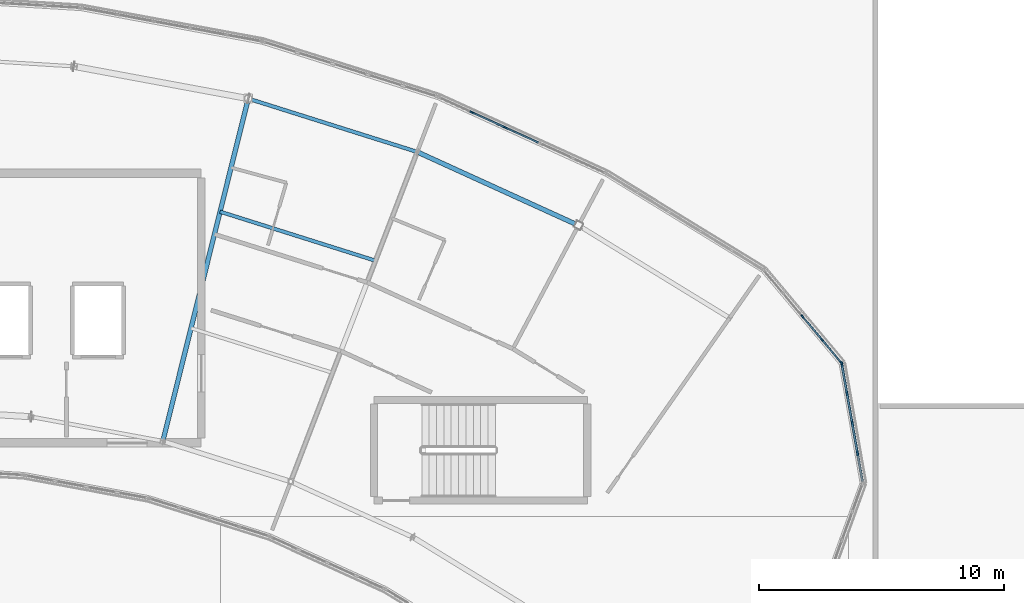
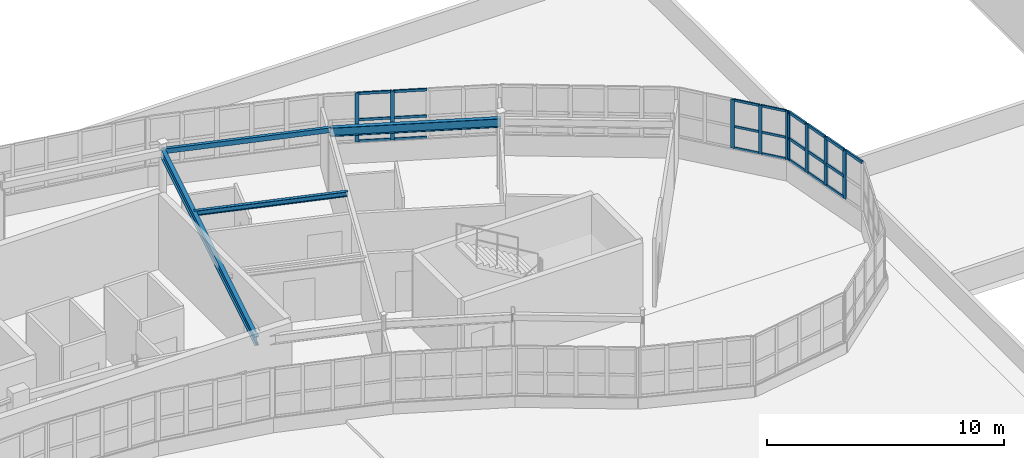
# One storey, part 50 of 128: 31 members, 4 beams, 3 elements without a shape of their own.
"""IFC4 building model written with IfcOpenShell, lengths in metres."""

from ifc_helpers import new_model, si_unit, direction, frame, origin, origin_2d, place, context, subcontext, project, spatial, rectangle, hollow_rectangle, i_section, extrude, material, layer, layer_set, material_profile, profile_set, type_object, element, aggregate, save


model = new_model("IFC4")

# Units and contexts
model_context = context("Model", 3, precision=1e-05, world=origin(), true_north=direction((0.0, 1.0)))
body_context = subcontext(model_context, "Body", "Model", "MODEL_VIEW")
ifc_project = project(units=[si_unit("LENGTHUNIT", "METRE"), si_unit("AREAUNIT", "SQUARE_METRE"), si_unit("VOLUMEUNIT", "CUBIC_METRE"), si_unit("PLANEANGLEUNIT", "RADIAN"), si_unit("MASSUNIT", "GRAM", prefix="KILO")], contexts=[model_context])

# Site, building, storey
site_placement = place(None, origin())
site = spatial("IfcSite", under=ifc_project, at=site_placement, CompositionType="ELEMENT")
building_placement = place(site_placement, origin())
building = spatial("IfcBuilding", under=site, at=building_placement, Name="Tarnwether General Hospital", CompositionType="ELEMENT")
storey_placement = place(building_placement, frame((0.0, 0.0, 14.39990234375)))
storey = spatial("IfcBuildingStorey", under=building, at=storey_placement, Name="L03", CompositionType="ELEMENT", Elevation=14.39990234375)

# Beams
ifc_material_1 = material(Name="Steel Grade 350 (350 MPa)", Category="steel")
ifc_material_profile_1 = material_profile(ifc_material_1, i_section(OverallWidth=0.19091796875, OverallDepth=0.4599609375, WebThickness=0.010009765625, FlangeThickness=0.01611328125, at=origin_2d()), Name="460UB82.1")
ifc_profile_set_1 = profile_set([ifc_material_profile_1], Name="Steel Grade 350 (350 MPa)")
beam_type_1 = type_object("IfcBeamType", Name="BM-G08", PredefinedType="BEAM", material=ifc_profile_set_1)
beam_1_placement = place(storey_placement, frame((106.322021484375, 120.44189453125, 3.330078125), z_axis=(-0.241941215118, -0.970290909175, 0.0), x_axis=(0.970290909175, -0.241941215118, 0.0)))
element("IfcBeam", 1, at=beam_1_placement, inside=storey, type_object=beam_type_1, Name="Curved Ward NW Radial Girder BMG-L03-10632_12044-10284_10647-1921", PredefinedType="BEAM", context=body_context, shape_type="SweptSolid", body=[
    extrude(i_section(OverallWidth=0.19091796875, OverallDepth=0.4599609375, WebThickness=0.010009765625, FlangeThickness=0.01611328125, at=origin_2d()), origin(), (0.0, 0.0, 1.0), 14.400634765625),
])
ifc_material_2 = material(Name="Steel Grade 350 (350 MPa)", Category="steel")
ifc_material_profile_2 = material_profile(ifc_material_2, i_section(OverallWidth=0.14599609375, OverallDepth=0.256103515625, WebThickness=0.00634765625, FlangeThickness=0.010986328125, at=origin_2d()), Name="250UB37.3")
ifc_profile_set_2 = profile_set([ifc_material_profile_2], Name="Steel Grade 350 (350 MPa)")
beam_type_2 = type_object("IfcBeamType", Name="BM-J09", PredefinedType="JOIST", material=ifc_profile_set_2)
beam_2_placement = place(storey_placement, frame((105.172119140625, 115.8310546875, 3.43212890625), z_axis=(0.953671429399, -0.300850136693, 0.0), x_axis=(0.300850136693, 0.953671429399, 0.0)))
element("IfcBeam", 2, at=beam_2_placement, inside=storey, type_object=beam_type_2, Name="Curved Ward NW Chord Joist BMG-L03-10517_11583-11151_11383-1943", PredefinedType="JOIST", context=body_context, shape_type="SweptSolid", body=[
    extrude(i_section(OverallWidth=0.14599609375, OverallDepth=0.256103515625, WebThickness=0.00634765625, FlangeThickness=0.010986328125, at=origin_2d()), origin(), (0.0, 0.0, 1.0), 6.64794921875),
])
ifc_material_3 = material(Name="Steel Grade 350 (350 MPa)", Category="steel")
ifc_material_profile_3 = material_profile(ifc_material_3, i_section(OverallWidth=0.18994140625, OverallDepth=0.4541015625, WebThickness=0.008544921875, FlangeThickness=0.0126953125, at=origin_2d()), Name="460UB67.1")
ifc_profile_set_3 = profile_set([ifc_material_profile_3], Name="Steel Grade 350 (350 MPa)")
beam_type_3 = type_object("IfcBeamType", Name="BM-SP1", PredefinedType="SPANDREL", material=ifc_profile_set_3)
beam_3_placement = place(storey_placement, frame((113.215087890625, 118.26806640625, 3.3330078125), z_axis=(0.909943842177, -0.414731484316, 0.0), x_axis=(0.414731484316, 0.909943842177, 0.0)))
element("IfcBeam", 3, at=beam_3_placement, inside=storey, type_object=beam_type_3, Name="Curved Ward NW Outer Spandrel BMG-L03-11322_11827-11979_11527-1945", PredefinedType="SPANDREL", context=body_context, shape_type="SweptSolid", body=[
    extrude(i_section(OverallWidth=0.18994140625, OverallDepth=0.4541015625, WebThickness=0.008544921875, FlangeThickness=0.0126953125, at=origin_2d()), origin(), (0.0, 0.0, 1.0), 7.22900390625),
])
ifc_material_4 = material(Name="Steel Grade C350L0 (350 MPa)", Category="steel")
ifc_material_profile_4 = material_profile(ifc_material_4, hollow_rectangle(XDim=0.14990234375, YDim=0.25, WallThickness=0.008056640625, at=origin_2d()), Name="RHS250x150x8")
ifc_profile_set_4 = profile_set([ifc_material_profile_4], Name="Steel Grade C350L0 (350 MPa)")
beam_type_4 = type_object("IfcBeamType", Name="BM-SP8", PredefinedType="SPANDREL", material=ifc_profile_set_4)
beam_4_placement = place(storey_placement, frame((106.322021484375, 120.44189453125, 3.43505859375), z_axis=(0.953698988948, -0.300762761125, 0.0), x_axis=(0.300762761125, 0.953698988948, 0.0)))
element("IfcBeam", 4, at=beam_4_placement, inside=storey, type_object=beam_type_4, Name="Curved Ward NW Outer Spandrel BMG-L03-10632_12044-11322_11827-1941", PredefinedType="SPANDREL", context=body_context, shape_type="SweptSolid", body=[
    extrude(hollow_rectangle(XDim=0.14990234375, YDim=0.25, WallThickness=0.008056640625, at=origin_2d()), origin(), (0.0, 0.0, 1.0), 7.227783203125),
])

# Curtain wall, members
ifc_material_5 = material(Name="Anodised aluminium", Category="aluminium")
ifc_layer_1 = layer(ifc_material_5, 0.159912109375)
ifc_layer_set_1 = layer_set([ifc_layer_1], Name="Anodised aluminium")
curtain_wall_type_1 = type_object("IfcCurtainWallType", Name="CW-03", PredefinedType="NOTDEFINED", material=ifc_layer_set_1)
curtain_wall_1_placement = place(storey_placement, origin())
curtain_wall_1 = element("IfcCurtainWall", 5, at=curtain_wall_1_placement, inside=storey, type_object=curtain_wall_type_1, Name="Curtain Wall CWG-L03-1273_1135-0021", PredefinedType="NOTDEFINED")
ifc_material_6 = material(Name="Anodised aluminium", Category="aluminium")
ifc_material_profile_5 = material_profile(ifc_material_6, rectangle(XDim=0.06005859375, YDim=0.159912109375, at=origin_2d()), Name="ALU-MUL-60x160")
ifc_profile_set_5 = profile_set([ifc_material_profile_5], Name="Anodised aluminium")
member_type_1 = type_object("IfcMemberType", Name="CW-ML1", PredefinedType="MULLION", material=ifc_profile_set_5)
member_1_placement = place(storey_placement, frame((128.929443359375, 111.556396484375, 1.050048828125), z_axis=(0.0, 0.0, 1.0), x_axis=(0.765990176896, 0.64285227611, 0.0)))
member_1 = element("IfcMember", 6, at=member_1_placement, type_object=member_type_1, Name="CW-03 mullion 3", PredefinedType="MULLION", context=body_context, shape_type="SweptSolid", body=[
    extrude(rectangle(XDim=0.06005859375, YDim=0.159912109375, at=origin_2d()), origin(), (0.0, 0.0, 1.0), 2.510009765625),
])
member_2_placement = place(storey_placement, frame((129.728271484375, 110.604736328125, 1.050048828125), z_axis=(0.0, 0.0, 1.0), x_axis=(0.765990176896, 0.64285227611, 0.0)))
member_2 = element("IfcMember", 7, at=member_2_placement, type_object=member_type_1, Name="CW-03 mullion 4", PredefinedType="MULLION", context=body_context, shape_type="SweptSolid", body=[
    extrude(rectangle(XDim=0.06005859375, YDim=0.159912109375, at=origin_2d()), origin(), (0.0, 0.0, 1.0), 2.510009765625),
])
member_3_placement = place(storey_placement, frame((130.5078125, 109.676025390625, 1.050048828125), z_axis=(0.0, 0.0, 1.0), x_axis=(0.765990176896, 0.64285227611, 0.0)))
member_3 = element("IfcMember", 8, at=member_3_placement, type_object=member_type_1, Name="CW-03 mullion 5", PredefinedType="MULLION", context=body_context, shape_type="SweptSolid", body=[
    extrude(rectangle(XDim=0.06005859375, YDim=0.159912109375, at=origin_2d()), origin(), (0.0, 0.0, 1.0), 2.510009765625),
])

ifc_material_7 = material(Name="Anodised aluminium", Category="aluminium")
ifc_layer_2 = layer(ifc_material_7, 0.159912109375)
ifc_layer_set_2 = layer_set([ifc_layer_2], Name="Anodised aluminium")
curtain_wall_type_2 = type_object("IfcCurtainWallType", Name="CW-01", PredefinedType="NOTDEFINED", material=ifc_layer_set_2)
curtain_wall_2_placement = place(storey_placement, origin())
curtain_wall_2 = element("IfcCurtainWall", 9, at=curtain_wall_2_placement, inside=storey, type_object=curtain_wall_type_2, Name="Curtain Wall CWG-L03-1141_1205-0023", PredefinedType="NOTDEFINED")
ifc_material_8 = material(Name="Anodised aluminium", Category="aluminium")
ifc_material_profile_6 = material_profile(ifc_material_8, rectangle(XDim=0.06494140625, YDim=0.169921875, at=origin_2d()), Name="ALU-MUL-65x170")
ifc_profile_set_6 = profile_set([ifc_material_profile_6], Name="Anodised aluminium")
member_type_2 = type_object("IfcMemberType", Name="CW-ML3", PredefinedType="MULLION", material=ifc_profile_set_6)
member_4_placement = place(storey_placement, frame((115.44384765625, 119.88525390625, 1.050048828125), z_axis=(0.0, 0.0, 1.0), x_axis=(0.414694289316, 0.909960793886, 0.0)))
member_4 = element("IfcMember", 10, at=member_4_placement, type_object=member_type_2, Name="CW-01 mullion 2", PredefinedType="MULLION", context=body_context, shape_type="SweptSolid", body=[
    extrude(rectangle(XDim=0.06494140625, YDim=0.169921875, at=origin_2d()), origin(), (0.0, 0.0, 1.0), 2.510009765625),
])
member_5_placement = place(storey_placement, frame((116.8125, 119.261474609375, 1.050048828125), z_axis=(0.0, 0.0, 1.0), x_axis=(0.414694289316, 0.909960793886, 0.0)))
member_5 = element("IfcMember", 11, at=member_5_placement, type_object=member_type_2, Name="CW-01 mullion 3", PredefinedType="MULLION", context=body_context, shape_type="SweptSolid", body=[
    extrude(rectangle(XDim=0.06494140625, YDim=0.169921875, at=origin_2d()), origin(), (0.0, 0.0, 1.0), 2.510009765625),
])

curtain_wall_3_placement = place(storey_placement, origin())
curtain_wall_3 = element("IfcCurtainWall", 12, at=curtain_wall_3_placement, inside=storey, type_object=curtain_wall_type_1, Name="Curtain Wall CWG-L03-1305_1097-0020", PredefinedType="NOTDEFINED")
ifc_material_9 = material(Name="Anodised aluminium", Category="aluminium")
ifc_material_profile_7 = material_profile(ifc_material_9, rectangle(XDim=0.080078125, YDim=0.199951171875, at=origin_2d()), Name="ALU-MUL-80x200")
ifc_profile_set_7 = profile_set([ifc_material_profile_7], Name="Anodised aluminium")
member_type_3 = type_object("IfcMemberType", Name="CW-ML4", PredefinedType="MULLION", material=ifc_profile_set_7)
member_6_placement = place(storey_placement, frame((130.533935546875, 109.613525390625, 1.050048828125), z_axis=(0.0, 0.0, 1.0), x_axis=(0.984840230098, 0.173463890135, 0.0)))
member_6 = element("IfcMember", 13, at=member_6_placement, type_object=member_type_3, Name="CW-03 mullion 1", PredefinedType="MULLION", context=body_context, shape_type="SweptSolid", body=[
    extrude(rectangle(XDim=0.080078125, YDim=0.199951171875, at=origin_2d()), origin(), (0.0, 0.0, 1.0), 2.510009765625),
])
member_7_placement = place(storey_placement, frame((130.742431640625, 108.429443359375, 1.050048828125), z_axis=(0.0, 0.0, 1.0), x_axis=(0.984840230098, 0.173463890135, 0.0)))
member_7 = element("IfcMember", 14, at=member_7_placement, type_object=member_type_3, Name="CW-03 mullion 2", PredefinedType="MULLION", context=body_context, shape_type="SweptSolid", body=[
    extrude(rectangle(XDim=0.080078125, YDim=0.199951171875, at=origin_2d()), origin(), (0.0, 0.0, 1.0), 2.510009765625),
])
member_8_placement = place(storey_placement, frame((130.9580078125, 107.2060546875, 1.050048828125), z_axis=(0.0, 0.0, 1.0), x_axis=(0.984840230098, 0.173463890135, 0.0)))
member_8 = element("IfcMember", 15, at=member_8_placement, type_object=member_type_3, Name="CW-03 mullion 3", PredefinedType="MULLION", context=body_context, shape_type="SweptSolid", body=[
    extrude(rectangle(XDim=0.080078125, YDim=0.199951171875, at=origin_2d()), origin(), (0.0, 0.0, 1.0), 2.510009765625),
])
member_9_placement = place(storey_placement, frame((131.173583984375, 105.982421875, 1.050048828125), z_axis=(0.0, 0.0, 1.0), x_axis=(0.984840230098, 0.173463890135, 0.0)))
member_9 = element("IfcMember", 16, at=member_9_placement, type_object=member_type_3, Name="CW-03 mullion 4", PredefinedType="MULLION", context=body_context, shape_type="SweptSolid", body=[
    extrude(rectangle(XDim=0.080078125, YDim=0.199951171875, at=origin_2d()), origin(), (0.0, 0.0, 1.0), 2.510009765625),
])

# Member
ifc_material_10 = material(Name="Anodised aluminium", Category="aluminium")
ifc_material_profile_8 = material_profile(ifc_material_10, rectangle(XDim=0.06005859375, YDim=0.1201171875, at=origin_2d()), Name="ALU-TRN-60x120")
ifc_profile_set_8 = profile_set([ifc_material_profile_8], Name="Anodised aluminium")
member_type_4 = type_object("IfcMemberType", Name="CW-TR1", PredefinedType="USERDEFINED", material=ifc_profile_set_8)
member_10_placement = place(storey_placement, frame((128.94873046875, 111.533447265625, 1.080078125), z_axis=(0.642901530921, -0.765948837417, 0.0), x_axis=(0.765948837417, 0.642901530921, 0.0)))
member_10 = element("IfcMember", 17, at=member_10_placement, type_object=member_type_4, Name="CW-03 transom 3.1", ObjectType="TRANSOM", PredefinedType="USERDEFINED", context=body_context, shape_type="SweptSolid", body=[
    extrude(rectangle(XDim=0.06005859375, YDim=0.1201171875, at=origin_2d()), origin(), (0.0, 0.0, 1.0), 1.1826171875),
])

member_11_placement = place(storey_placement, frame((128.94873046875, 111.533447265625, 2.1796875), z_axis=(0.642901530921, -0.765948837417, 0.0), x_axis=(0.765948837417, 0.642901530921, 0.0)))
member_11 = element("IfcMember", 18, at=member_11_placement, type_object=member_type_4, Name="CW-03 transom 3.2", ObjectType="TRANSOM", PredefinedType="USERDEFINED", context=body_context, shape_type="SweptSolid", body=[
    extrude(rectangle(XDim=0.06005859375, YDim=0.1201171875, at=origin_2d()), origin(), (0.0, 0.0, 1.0), 1.1826171875),
])

member_12_placement = place(storey_placement, frame((128.94873046875, 111.533447265625, 3.530029296875), z_axis=(0.642901530921, -0.765948837417, 0.0), x_axis=(0.765948837417, 0.642901530921, 0.0)))
member_12 = element("IfcMember", 19, at=member_12_placement, type_object=member_type_4, Name="CW-03 transom 3.3", ObjectType="TRANSOM", PredefinedType="USERDEFINED", context=body_context, shape_type="SweptSolid", body=[
    extrude(rectangle(XDim=0.06005859375, YDim=0.1201171875, at=origin_2d()), origin(), (0.0, 0.0, 1.0), 1.1826171875),
])

member_13_placement = place(storey_placement, frame((129.74755859375, 110.581787109375, 1.080078125), z_axis=(0.642889003043, -0.765959352555, 0.0), x_axis=(0.765959352555, 0.642889003043, 0.0)))
member_13 = element("IfcMember", 20, at=member_13_placement, type_object=member_type_4, Name="CW-03 transom 4.1", ObjectType="TRANSOM", PredefinedType="USERDEFINED", context=body_context, shape_type="SweptSolid", body=[
    extrude(rectangle(XDim=0.06005859375, YDim=0.1201171875, at=origin_2d()), origin(), (0.0, 0.0, 1.0), 1.152587890625),
])

member_14_placement = place(storey_placement, frame((129.74755859375, 110.581787109375, 2.1796875), z_axis=(0.642889003043, -0.765959352555, 0.0), x_axis=(0.765959352555, 0.642889003043, 0.0)))
member_14 = element("IfcMember", 21, at=member_14_placement, type_object=member_type_4, Name="CW-03 transom 4.2", ObjectType="TRANSOM", PredefinedType="USERDEFINED", context=body_context, shape_type="SweptSolid", body=[
    extrude(rectangle(XDim=0.06005859375, YDim=0.1201171875, at=origin_2d()), origin(), (0.0, 0.0, 1.0), 1.152587890625),
])

member_15_placement = place(storey_placement, frame((129.74755859375, 110.581787109375, 3.530029296875), z_axis=(0.642889003043, -0.765959352555, 0.0), x_axis=(0.765959352555, 0.642889003043, 0.0)))
member_15 = element("IfcMember", 22, at=member_15_placement, type_object=member_type_4, Name="CW-03 transom 4.3", ObjectType="TRANSOM", PredefinedType="USERDEFINED", context=body_context, shape_type="SweptSolid", body=[
    extrude(rectangle(XDim=0.06005859375, YDim=0.1201171875, at=origin_2d()), origin(), (0.0, 0.0, 1.0), 1.152587890625),
])

aggregate(curtain_wall_1, [member_1, member_2, member_3, member_10, member_11, member_12, member_13, member_14, member_15])

ifc_material_11 = material(Name="Anodised aluminium", Category="aluminium")
ifc_material_profile_9 = material_profile(ifc_material_11, rectangle(XDim=0.06494140625, YDim=0.1298828125, at=origin_2d()), Name="ALU-TRN-65x130")
ifc_profile_set_9 = profile_set([ifc_material_profile_9], Name="Anodised aluminium")
member_type_5 = type_object("IfcMemberType", Name="CW-TR3", PredefinedType="USERDEFINED", material=ifc_profile_set_9)
member_16_placement = place(storey_placement, frame((115.473388671875, 119.871826171875, 1.08251953125), z_axis=(0.909930262582, -0.414761277408, 0.0), x_axis=(0.414761277408, 0.909930262582, 0.0)))
member_16 = element("IfcMember", 23, at=member_16_placement, type_object=member_type_5, Name="CW-01 transom 2.1", ObjectType="TRANSOM", PredefinedType="USERDEFINED", context=body_context, shape_type="SweptSolid", body=[
    extrude(rectangle(XDim=0.06494140625, YDim=0.1298828125, at=origin_2d()), origin(), (0.0, 0.0, 1.0), 1.439208984375),
])

member_17_placement = place(storey_placement, frame((115.473388671875, 119.871826171875, 2.1796875), z_axis=(0.909930262582, -0.414761277408, 0.0), x_axis=(0.414761277408, 0.909930262582, 0.0)))
member_17 = element("IfcMember", 24, at=member_17_placement, type_object=member_type_5, Name="CW-01 transom 2.2", ObjectType="TRANSOM", PredefinedType="USERDEFINED", context=body_context, shape_type="SweptSolid", body=[
    extrude(rectangle(XDim=0.06494140625, YDim=0.1298828125, at=origin_2d()), origin(), (0.0, 0.0, 1.0), 1.439208984375),
])

member_18_placement = place(storey_placement, frame((115.473388671875, 119.871826171875, 3.527587890625), z_axis=(0.909930262582, -0.414761277408, 0.0), x_axis=(0.414761277408, 0.909930262582, 0.0)))
member_18 = element("IfcMember", 25, at=member_18_placement, type_object=member_type_5, Name="CW-01 transom 2.3", ObjectType="TRANSOM", PredefinedType="USERDEFINED", context=body_context, shape_type="SweptSolid", body=[
    extrude(rectangle(XDim=0.06494140625, YDim=0.1298828125, at=origin_2d()), origin(), (0.0, 0.0, 1.0), 1.439208984375),
])

member_19_placement = place(storey_placement, frame((116.84228515625, 119.247802734375, 1.08251953125), z_axis=(0.909994277716, -0.414620808117, 0.0), x_axis=(0.414620808117, 0.909994277716, 0.0)))
member_19 = element("IfcMember", 26, at=member_19_placement, type_object=member_type_5, Name="CW-01 transom 3.1", ObjectType="TRANSOM", PredefinedType="USERDEFINED", context=body_context, shape_type="SweptSolid", body=[
    extrude(rectangle(XDim=0.06494140625, YDim=0.1298828125, at=origin_2d()), origin(), (0.0, 0.0, 1.0), 1.439208984375),
])

member_20_placement = place(storey_placement, frame((116.84228515625, 119.247802734375, 2.1796875), z_axis=(0.909994277716, -0.414620808117, 0.0), x_axis=(0.414620808117, 0.909994277716, 0.0)))
member_20 = element("IfcMember", 27, at=member_20_placement, type_object=member_type_5, Name="CW-01 transom 3.2", ObjectType="TRANSOM", PredefinedType="USERDEFINED", context=body_context, shape_type="SweptSolid", body=[
    extrude(rectangle(XDim=0.06494140625, YDim=0.1298828125, at=origin_2d()), origin(), (0.0, 0.0, 1.0), 1.439208984375),
])

member_21_placement = place(storey_placement, frame((116.84228515625, 119.247802734375, 3.527587890625), z_axis=(0.909994277716, -0.414620808117, 0.0), x_axis=(0.414620808117, 0.909994277716, 0.0)))
member_21 = element("IfcMember", 28, at=member_21_placement, type_object=member_type_5, Name="CW-01 transom 3.3", ObjectType="TRANSOM", PredefinedType="USERDEFINED", context=body_context, shape_type="SweptSolid", body=[
    extrude(rectangle(XDim=0.06494140625, YDim=0.1298828125, at=origin_2d()), origin(), (0.0, 0.0, 1.0), 1.439208984375),
])

aggregate(curtain_wall_2, [member_4, member_5, member_16, member_17, member_18, member_19, member_20, member_21])

ifc_material_12 = material(Name="Anodised aluminium", Category="aluminium")
ifc_material_profile_10 = material_profile(ifc_material_12, rectangle(XDim=0.080078125, YDim=0.14990234375, at=origin_2d()), Name="ALU-TRN-80x150")
ifc_profile_set_10 = profile_set([ifc_material_profile_10], Name="Anodised aluminium")
member_type_6 = type_object("IfcMemberType", Name="CW-TR4", PredefinedType="USERDEFINED", material=ifc_profile_set_10)
member_22_placement = place(storey_placement, frame((130.540771484375, 109.57421875, 1.090087890625), z_axis=(0.173599178383, -0.984816391651, 0.0), x_axis=(0.984816391651, 0.173599178383, 0.0)))
member_22 = element("IfcMember", 29, at=member_22_placement, type_object=member_type_6, Name="CW-03 transom 1.1", ObjectType="TRANSOM", PredefinedType="USERDEFINED", context=body_context, shape_type="SweptSolid", body=[
    extrude(rectangle(XDim=0.080078125, YDim=0.14990234375, at=origin_2d()), origin(), (0.0, 0.0, 1.0), 1.122314453125),
])

member_23_placement = place(storey_placement, frame((130.540771484375, 109.57421875, 2.1796875), z_axis=(0.173599178383, -0.984816391651, 0.0), x_axis=(0.984816391651, 0.173599178383, 0.0)))
member_23 = element("IfcMember", 30, at=member_23_placement, type_object=member_type_6, Name="CW-03 transom 1.2", ObjectType="TRANSOM", PredefinedType="USERDEFINED", context=body_context, shape_type="SweptSolid", body=[
    extrude(rectangle(XDim=0.080078125, YDim=0.14990234375, at=origin_2d()), origin(), (0.0, 0.0, 1.0), 1.122314453125),
])

member_24_placement = place(storey_placement, frame((130.540771484375, 109.57421875, 3.52001953125), z_axis=(0.173599178383, -0.984816391651, 0.0), x_axis=(0.984816391651, 0.173599178383, 0.0)))
member_24 = element("IfcMember", 31, at=member_24_placement, type_object=member_type_6, Name="CW-03 transom 1.3", ObjectType="TRANSOM", PredefinedType="USERDEFINED", context=body_context, shape_type="SweptSolid", body=[
    extrude(rectangle(XDim=0.080078125, YDim=0.14990234375, at=origin_2d()), origin(), (0.0, 0.0, 1.0), 1.122314453125),
])

member_25_placement = place(storey_placement, frame((130.74951171875, 108.39013671875, 1.090087890625), z_axis=(0.173485784706, -0.984836373468, 0.0), x_axis=(0.984836373468, 0.173485784706, 0.0)))
member_25 = element("IfcMember", 32, at=member_25_placement, type_object=member_type_6, Name="CW-03 transom 2.1", ObjectType="TRANSOM", PredefinedType="USERDEFINED", context=body_context, shape_type="SweptSolid", body=[
    extrude(rectangle(XDim=0.080078125, YDim=0.14990234375, at=origin_2d()), origin(), (0.0, 0.0, 1.0), 1.162353515625),
])

member_26_placement = place(storey_placement, frame((130.74951171875, 108.39013671875, 2.1796875), z_axis=(0.173485784706, -0.984836373468, 0.0), x_axis=(0.984836373468, 0.173485784706, 0.0)))
member_26 = element("IfcMember", 33, at=member_26_placement, type_object=member_type_6, Name="CW-03 transom 2.2", ObjectType="TRANSOM", PredefinedType="USERDEFINED", context=body_context, shape_type="SweptSolid", body=[
    extrude(rectangle(XDim=0.080078125, YDim=0.14990234375, at=origin_2d()), origin(), (0.0, 0.0, 1.0), 1.162353515625),
])

member_27_placement = place(storey_placement, frame((130.74951171875, 108.39013671875, 3.52001953125), z_axis=(0.173485784706, -0.984836373468, 0.0), x_axis=(0.984836373468, 0.173485784706, 0.0)))
member_27 = element("IfcMember", 34, at=member_27_placement, type_object=member_type_6, Name="CW-03 transom 2.3", ObjectType="TRANSOM", PredefinedType="USERDEFINED", context=body_context, shape_type="SweptSolid", body=[
    extrude(rectangle(XDim=0.080078125, YDim=0.14990234375, at=origin_2d()), origin(), (0.0, 0.0, 1.0), 1.162353515625),
])

member_28_placement = place(storey_placement, frame((130.96484375, 107.16650390625, 1.090087890625), z_axis=(0.173521676921, -0.98483005013, 0.0), x_axis=(0.98483005013, 0.173521676921, 0.0)))
member_28 = element("IfcMember", 35, at=member_28_placement, type_object=member_type_6, Name="CW-03 transom 3.1", ObjectType="TRANSOM", PredefinedType="USERDEFINED", context=body_context, shape_type="SweptSolid", body=[
    extrude(rectangle(XDim=0.080078125, YDim=0.14990234375, at=origin_2d()), origin(), (0.0, 0.0, 1.0), 1.162109375),
])

member_29_placement = place(storey_placement, frame((130.96484375, 107.16650390625, 2.1796875), z_axis=(0.173521676921, -0.98483005013, 0.0), x_axis=(0.98483005013, 0.173521676921, 0.0)))
member_29 = element("IfcMember", 36, at=member_29_placement, type_object=member_type_6, Name="CW-03 transom 3.2", ObjectType="TRANSOM", PredefinedType="USERDEFINED", context=body_context, shape_type="SweptSolid", body=[
    extrude(rectangle(XDim=0.080078125, YDim=0.14990234375, at=origin_2d()), origin(), (0.0, 0.0, 1.0), 1.162109375),
])

member_30_placement = place(storey_placement, frame((130.96484375, 107.16650390625, 3.52001953125), z_axis=(0.173521676921, -0.98483005013, 0.0), x_axis=(0.98483005013, 0.173521676921, 0.0)))
member_30 = element("IfcMember", 37, at=member_30_placement, type_object=member_type_6, Name="CW-03 transom 3.3", ObjectType="TRANSOM", PredefinedType="USERDEFINED", context=body_context, shape_type="SweptSolid", body=[
    extrude(rectangle(XDim=0.080078125, YDim=0.14990234375, at=origin_2d()), origin(), (0.0, 0.0, 1.0), 1.162109375),
])

member_31_placement = place(storey_placement, frame((131.180419921875, 105.943115234375, 3.52001953125), z_axis=(0.173599178383, -0.984816391651, 0.0), x_axis=(0.984816391651, 0.173599178383, 0.0)))
member_31 = element("IfcMember", 38, at=member_31_placement, type_object=member_type_6, Name="CW-03 transom 4.3", ObjectType="TRANSOM", PredefinedType="USERDEFINED", context=body_context, shape_type="SweptSolid", body=[
    extrude(rectangle(XDim=0.080078125, YDim=0.14990234375, at=origin_2d()), origin(), (0.0, 0.0, 1.0), 1.122314453125),
])

aggregate(curtain_wall_3, [member_6, member_7, member_8, member_9, member_22, member_23, member_24, member_25, member_26, member_27, member_28, member_29, member_30, member_31])

save(model, "model.ifc")
